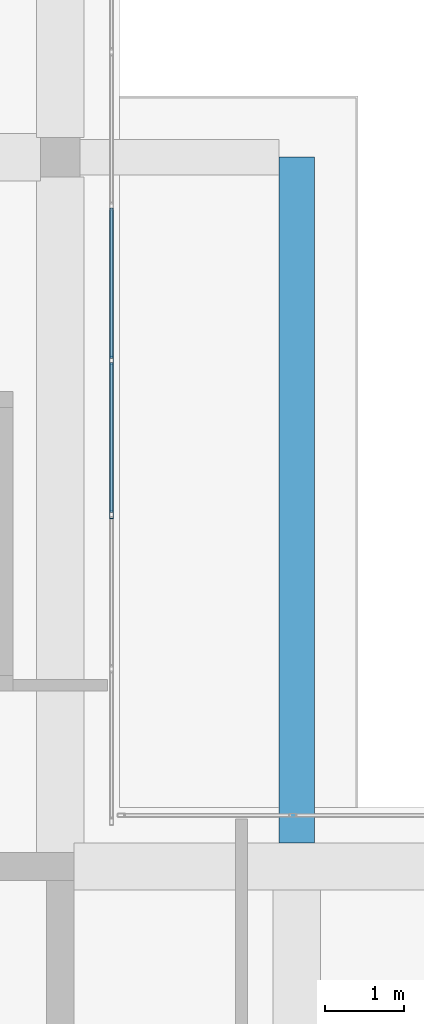
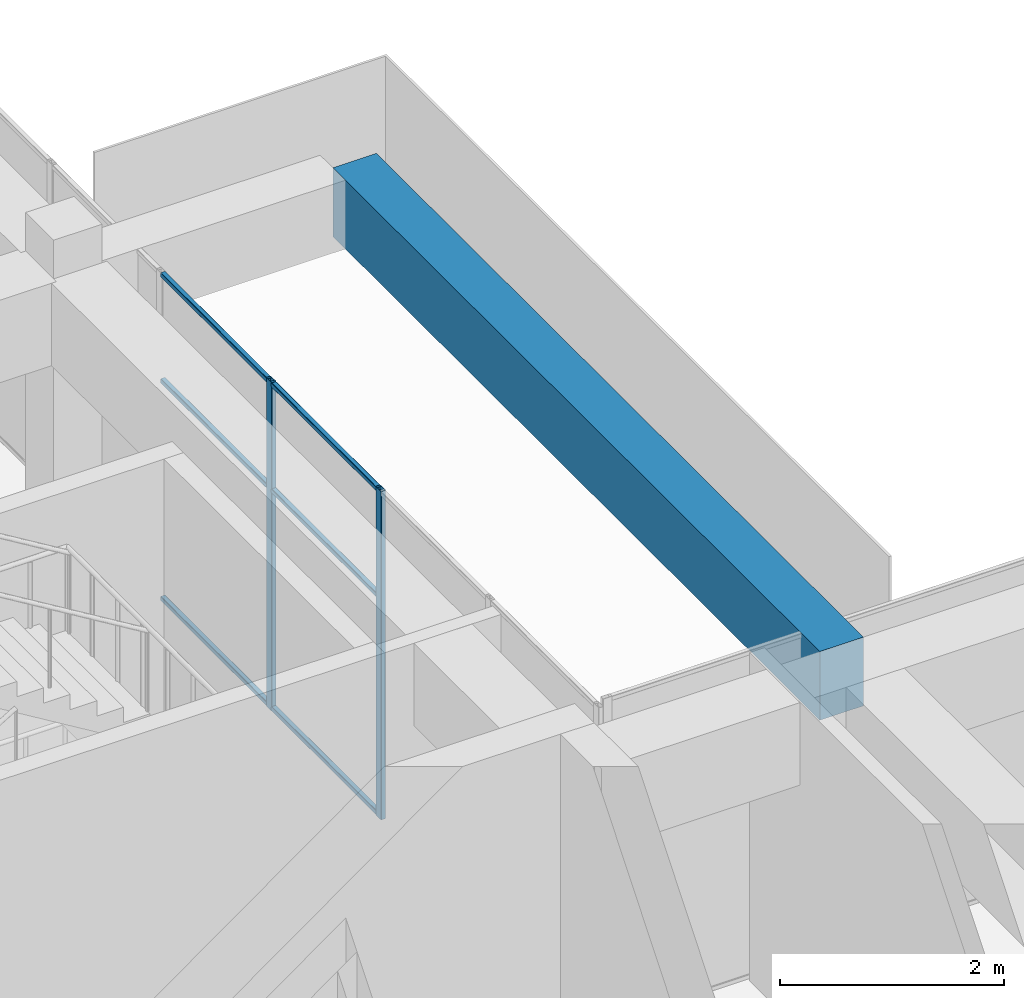
# One storey, part 26 of 36: 8 members, 1 beam, 1 element without a shape of its own.
"""IFC4 building model written with IfcOpenShell, lengths in metres."""

from ifc_helpers import new_model, si_unit, direction, frame, origin, origin_2d, place, context, subcontext, project, spatial, rectangle, hollow_rectangle, extrude, material, layer, layer_set, material_profile, profile_set, type_object, element, aggregate, save


model = new_model("IFC4")

# Units and contexts
model_context = context("Model", 3, precision=1e-05, world=origin(), true_north=direction((0.0, 1.0)))
body_context = subcontext(model_context, "Body", "Model", "MODEL_VIEW")
ifc_project = project(units=[si_unit("LENGTHUNIT", "METRE"), si_unit("AREAUNIT", "SQUARE_METRE"), si_unit("VOLUMEUNIT", "CUBIC_METRE"), si_unit("PLANEANGLEUNIT", "RADIAN"), si_unit("MASSUNIT", "GRAM", prefix="KILO")], contexts=[model_context])

# Site, building, storey
site_placement = place(None, origin())
site = spatial("IfcSite", under=ifc_project, at=site_placement, CompositionType="ELEMENT")
building_placement = place(site_placement, origin())
building = spatial("IfcBuilding", under=site, at=building_placement, Name="Tuart Plaza Theatre", CompositionType="ELEMENT")
storey_placement = place(building_placement, frame((0.0, 0.0, 61.5)))
storey = spatial("IfcBuildingStorey", under=building, at=storey_placement, Name="L15", CompositionType="ELEMENT", Elevation=61.5)

# Beam
ifc_material_1 = material(Name="Concrete N40 (40 MPa)", Category="concrete")
ifc_material_profile_1 = material_profile(ifc_material_1, rectangle(XDim=0.449951171875, YDim=0.75, at=origin_2d()), Name="BEAM 450x750 Concrete N40 (40 MPa)")
ifc_profile_set_1 = profile_set([ifc_material_profile_1], Name="Concrete N40 (40 MPa)")
beam_type = type_object("IfcBeamType", Name="BEAM 450x750 Concrete N40 (40 MPa)", PredefinedType="BEAM", material=ifc_profile_set_1)
beam_placement = place(storey_placement, frame((144.0, 83.300048828125, 3.205078125), z_axis=(0.0, 1.0, 0.0), x_axis=(-1.0, 0.0, 0.0)))
element("IfcBeam", 1, at=beam_placement, inside=storey, type_object=beam_type, Name="RB352", PredefinedType="BEAM", context=body_context, shape_type="SweptSolid", body=[
    extrude(rectangle(XDim=0.449951171875, YDim=0.75, at=origin_2d()), origin(), (0.0, 0.0, 1.0), 8.699951171875),
])

# Curtain wall, members
ifc_material_2 = material(Name="Aluminium and glass", Category="aluminium")
ifc_layer = layer(ifc_material_2, 0.10009765625)
ifc_layer_set = layer_set([ifc_layer], Name="CURTAIN WALL 2000 module")
curtain_wall_type = type_object("IfcCurtainWallType", Name="CURTAIN WALL 2000 module", PredefinedType="NOTDEFINED", material=ifc_layer_set)
curtain_wall_placement = place(storey_placement, origin())
curtain_wall = element("IfcCurtainWall", 2, at=curtain_wall_placement, inside=storey, type_object=curtain_wall_type, Name="CW116", PredefinedType="NOTDEFINED")
ifc_material_3 = material(Name="Aluminium 6063-T5", Category="aluminium")
ifc_material_profile_2 = material_profile(ifc_material_3, hollow_rectangle(XDim=0.050048828125, YDim=0.10009765625, WallThickness=0.00390625, InnerFilletRadius=0.00390625, OuterFilletRadius=0.008056640625, at=origin_2d()), Name="RHS 100x50x4")
ifc_profile_set_2 = profile_set([ifc_material_profile_2], Name="Aluminium 6063-T5")
member_type_1 = type_object("IfcMemberType", Name="MULLION RHS 100x50x4", PredefinedType="MULLION", material=ifc_profile_set_2)
member_1_placement = place(storey_placement, frame((141.64990234375, 87.46435546875, 0.0), z_axis=(0.0, 0.0, 1.0), x_axis=(-1.0, 0.0, 0.0)))
member_1 = element("IfcMember", 3, at=member_1_placement, type_object=member_type_1, Name="CW116 mullion 3", PredefinedType="MULLION", context=body_context, shape_type="SweptSolid", body=[
    extrude(hollow_rectangle(XDim=0.050048828125, YDim=0.10009765625, WallThickness=0.00390625, InnerFilletRadius=0.00390625, OuterFilletRadius=0.008056640625, at=origin_2d()), origin(), (0.0, 0.0, 1.0), 3.580078125),
])
member_2_placement = place(storey_placement, frame((141.64990234375, 89.42138671875, 0.0), z_axis=(0.0, 0.0, 1.0), x_axis=(-1.0, 0.0, 0.0)))
member_2 = element("IfcMember", 4, at=member_2_placement, type_object=member_type_1, Name="CW116 mullion 4", PredefinedType="MULLION", context=body_context, shape_type="SweptSolid", body=[
    extrude(hollow_rectangle(XDim=0.050048828125, YDim=0.10009765625, WallThickness=0.00390625, InnerFilletRadius=0.00390625, OuterFilletRadius=0.008056640625, at=origin_2d()), origin(), (0.0, 0.0, 1.0), 3.580078125),
])
ifc_material_4 = material(Name="Aluminium 6063-T5", Category="aluminium")
ifc_material_profile_3 = material_profile(ifc_material_4, hollow_rectangle(XDim=0.050048828125, YDim=0.050048828125, WallThickness=0.00390625, InnerFilletRadius=0.00390625, OuterFilletRadius=0.008056640625, at=origin_2d()), Name="RHS 50x50x4")
ifc_profile_set_3 = profile_set([ifc_material_profile_3], Name="Aluminium 6063-T5")
member_type_2 = type_object("IfcMemberType", Name="TRANSOM RHS 50x50x4", PredefinedType="USERDEFINED", material=ifc_profile_set_3)
member_3_placement = place(storey_placement, frame((141.64990234375, 87.4892578125, 0.02490234375), z_axis=(0.0, 1.0, 0.0), x_axis=(-1.0, 0.0, 0.0)))
member_3 = element("IfcMember", 5, at=member_3_placement, type_object=member_type_2, Name="CW116 transom 3.1", ObjectType="TRANSOM", PredefinedType="USERDEFINED", context=body_context, shape_type="SweptSolid", body=[
    extrude(hollow_rectangle(XDim=0.050048828125, YDim=0.050048828125, WallThickness=0.00390625, InnerFilletRadius=0.00390625, OuterFilletRadius=0.008056640625, at=origin_2d()), origin(), (0.0, 0.0, 1.0), 1.9072265625),
])
member_4_placement = place(storey_placement, frame((141.64990234375, 87.4892578125, 2.39990234375), z_axis=(0.0, 1.0, 0.0), x_axis=(-1.0, 0.0, 0.0)))
member_4 = element("IfcMember", 6, at=member_4_placement, type_object=member_type_2, Name="CW116 transom 3.2", ObjectType="TRANSOM", PredefinedType="USERDEFINED", context=body_context, shape_type="SweptSolid", body=[
    extrude(hollow_rectangle(XDim=0.050048828125, YDim=0.050048828125, WallThickness=0.00390625, InnerFilletRadius=0.00390625, OuterFilletRadius=0.008056640625, at=origin_2d()), origin(), (0.0, 0.0, 1.0), 1.9072265625),
])
member_5_placement = place(storey_placement, frame((141.64990234375, 87.4892578125, 3.554931640625), z_axis=(0.0, 1.0, 0.0), x_axis=(-1.0, 0.0, 0.0)))
member_5 = element("IfcMember", 7, at=member_5_placement, type_object=member_type_2, Name="CW116 transom 3.3", ObjectType="TRANSOM", PredefinedType="USERDEFINED", context=body_context, shape_type="SweptSolid", body=[
    extrude(hollow_rectangle(XDim=0.050048828125, YDim=0.050048828125, WallThickness=0.00390625, InnerFilletRadius=0.00390625, OuterFilletRadius=0.008056640625, at=origin_2d()), origin(), (0.0, 0.0, 1.0), 1.9072265625),
])
member_6_placement = place(storey_placement, frame((141.64990234375, 89.446533203125, 0.02490234375), z_axis=(0.0, 1.0, 0.0), x_axis=(-1.0, 0.0, 0.0)))
member_6 = element("IfcMember", 8, at=member_6_placement, type_object=member_type_2, Name="CW116 transom 4.1", ObjectType="TRANSOM", PredefinedType="USERDEFINED", context=body_context, shape_type="SweptSolid", body=[
    extrude(hollow_rectangle(XDim=0.050048828125, YDim=0.050048828125, WallThickness=0.00390625, InnerFilletRadius=0.00390625, OuterFilletRadius=0.008056640625, at=origin_2d()), origin(), (0.0, 0.0, 1.0), 1.906982421875),
])
member_7_placement = place(storey_placement, frame((141.64990234375, 89.446533203125, 2.39990234375), z_axis=(0.0, 1.0, 0.0), x_axis=(-1.0, 0.0, 0.0)))
member_7 = element("IfcMember", 9, at=member_7_placement, type_object=member_type_2, Name="CW116 transom 4.2", ObjectType="TRANSOM", PredefinedType="USERDEFINED", context=body_context, shape_type="SweptSolid", body=[
    extrude(hollow_rectangle(XDim=0.050048828125, YDim=0.050048828125, WallThickness=0.00390625, InnerFilletRadius=0.00390625, OuterFilletRadius=0.008056640625, at=origin_2d()), origin(), (0.0, 0.0, 1.0), 1.906982421875),
])
member_8_placement = place(storey_placement, frame((141.64990234375, 89.446533203125, 3.554931640625), z_axis=(0.0, 1.0, 0.0), x_axis=(-1.0, 0.0, 0.0)))
member_8 = element("IfcMember", 10, at=member_8_placement, type_object=member_type_2, Name="CW116 transom 4.3", ObjectType="TRANSOM", PredefinedType="USERDEFINED", context=body_context, shape_type="SweptSolid", body=[
    extrude(hollow_rectangle(XDim=0.050048828125, YDim=0.050048828125, WallThickness=0.00390625, InnerFilletRadius=0.00390625, OuterFilletRadius=0.008056640625, at=origin_2d()), origin(), (0.0, 0.0, 1.0), 1.906982421875),
])
aggregate(curtain_wall, [member_1, member_2, member_3, member_4, member_5, member_6, member_7, member_8])

save(model, "model.ifc")
